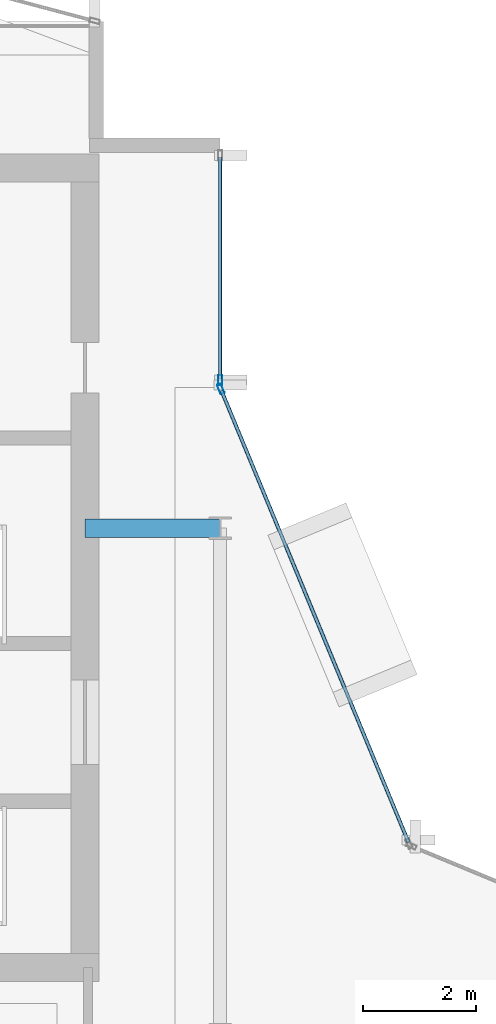
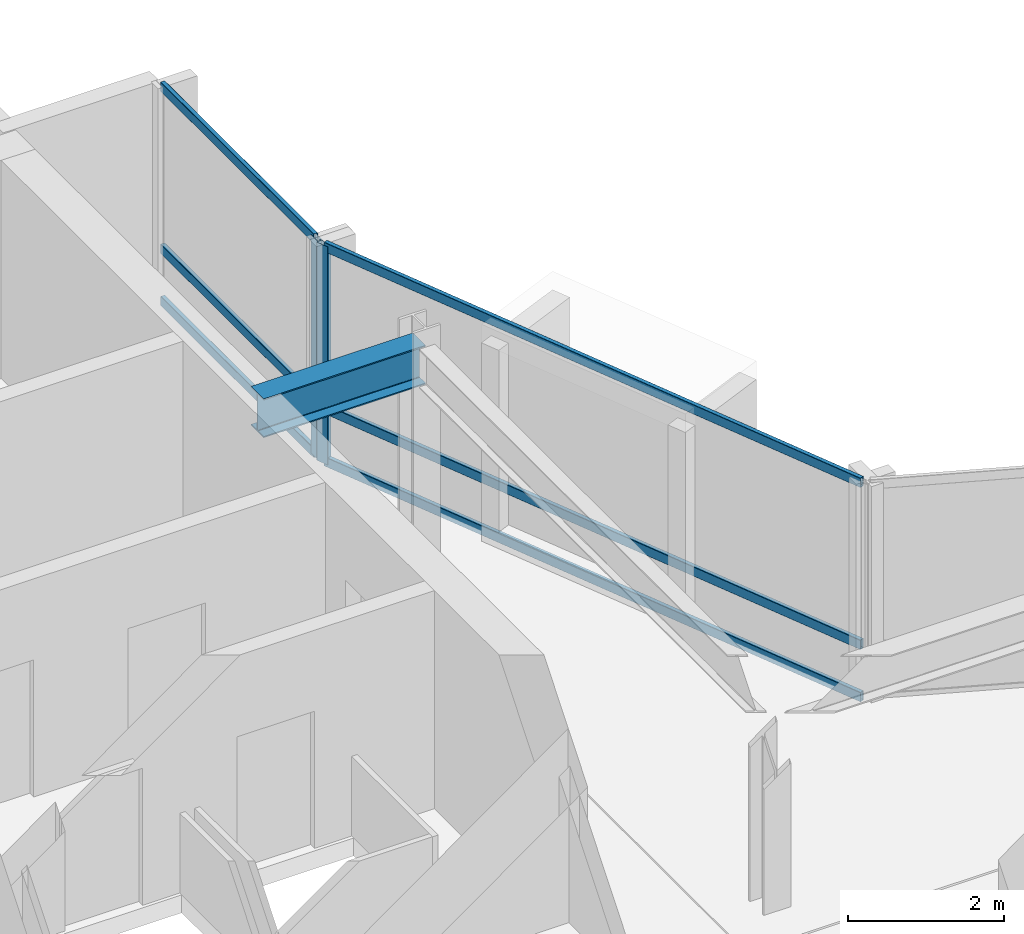
# One storey, part 17 of 28: 8 members, 1 beam, 2 elements without a shape of their own.
"""IFC4 building model written with IfcOpenShell, lengths in metres."""

from ifc_helpers import new_model, si_unit, direction, frame, origin, origin_2d, place, context, subcontext, project, spatial, hollow_rectangle, i_section, extrude, material, layer, layer_set, material_profile, profile_set, type_object, element, aggregate, save


model = new_model("IFC4")

# Units and contexts
model_context = context("Model", 3, precision=1e-05, world=origin(), true_north=direction((0.0, 1.0)))
body_context = subcontext(model_context, "Body", "Model", "MODEL_VIEW")
ifc_project = project(units=[si_unit("LENGTHUNIT", "METRE"), si_unit("AREAUNIT", "SQUARE_METRE"), si_unit("VOLUMEUNIT", "CUBIC_METRE"), si_unit("PLANEANGLEUNIT", "RADIAN"), si_unit("MASSUNIT", "GRAM", prefix="KILO")], contexts=[model_context])

# Site, building, storey
site_placement = place(None, origin())
site = spatial("IfcSite", under=ifc_project, at=site_placement, CompositionType="ELEMENT")
building_placement = place(site_placement, origin())
building = spatial("IfcBuilding", under=site, at=building_placement, Name="Solvaryn Broadcast Tower", CompositionType="ELEMENT")
storey_placement = place(building_placement, frame((0.0, 0.0, 213.60009765625)))
storey = spatial("IfcBuildingStorey", under=building, at=storey_placement, Name="L53", CompositionType="ELEMENT", Elevation=213.60009765625)

# Beam
ifc_material_1 = material(Name="Steel ASTM A992 Grade 50", Category="steel")
ifc_material_profile_1 = material_profile(ifc_material_1, i_section(OverallWidth=0.323974609375, OverallDepth=0.611083984375, WebThickness=0.0126953125, FlangeThickness=0.01904296875, FilletRadius=0.014892578125, at=origin_2d()))
ifc_profile_set_1 = profile_set([ifc_material_profile_1], Name="Steel ASTM A992 Grade 50")
beam_type = type_object("IfcBeamType", Name="BM-B1-W24X104", PredefinedType="BEAM", material=ifc_profile_set_1)
beam_placement = place(storey_placement, frame((24.60009765625, 36.0, 3.114501953125), z_axis=(1.0, 0.0, 0.0), x_axis=(0.0, 1.0, 0.0)))
element("IfcBeam", 1, at=beam_placement, inside=storey, type_object=beam_type, Name="L53 Core Tie Beam CTW2", PredefinedType="BEAM", context=body_context, shape_type="SweptSolid", body=[
    extrude(i_section(OverallWidth=0.323974609375, OverallDepth=0.611083984375, WebThickness=0.0126953125, FlangeThickness=0.01904296875, FilletRadius=0.014892578125, at=origin_2d()), origin(), (0.0, 0.0, 1.0), 2.39990234375),
])

# Curtain wall, member
ifc_material_2 = material(Name="Aluminium and Terracotta Unitised Curtain Wall", Category="masonry")
ifc_layer = layer(ifc_material_2, 0.199951171875)
ifc_layer_set = layer_set([ifc_layer], Name="CW-SYS2-LOWMID")
curtain_wall_type = type_object("IfcCurtainWallType", Name="CW-SYS2-LOWMID", PredefinedType="NOTDEFINED", material=ifc_layer_set)
curtain_wall_1_placement = place(storey_placement, origin())
curtain_wall_1 = element("IfcCurtainWall", 2, at=curtain_wall_1_placement, inside=storey, type_object=curtain_wall_type, Name="L53 Curtain Wall IV", PredefinedType="NOTDEFINED")
ifc_material_3 = material(Name="Anodised Aluminium 6063-T6", Category="aluminium")
ifc_material_profile_2 = material_profile(ifc_material_3, hollow_rectangle(XDim=0.074951171875, YDim=0.179931640625, WallThickness=0.00390625, InnerFilletRadius=0.00390625, OuterFilletRadius=0.008056640625, at=origin_2d()))
ifc_profile_set_2 = profile_set([ifc_material_profile_2], Name="Anodised Aluminium 6063-T6")
member_type_1 = type_object("IfcMemberType", Name="CW-MUL-180", PredefinedType="MULLION", material=ifc_profile_set_2)
member_1_placement = place(storey_placement, frame((27.0, 38.6298828125, 0.0), z_axis=(0.0, 0.0, 1.0), x_axis=(1.0, 0.0, 0.0)))
member_1 = element("IfcMember", 3, at=member_1_placement, type_object=member_type_1, Name="CWS2 mullion 2", PredefinedType="MULLION", context=body_context, shape_type="SweptSolid", body=[
    extrude(hollow_rectangle(XDim=0.074951171875, YDim=0.179931640625, WallThickness=0.00390625, InnerFilletRadius=0.00390625, OuterFilletRadius=0.008056640625, at=origin_2d()), origin(), (0.0, 0.0, 1.0), 3.419921875),
])

curtain_wall_2_placement = place(storey_placement, origin())
curtain_wall_2 = element("IfcCurtainWall", 4, at=curtain_wall_2_placement, inside=storey, type_object=curtain_wall_type, Name="L53 Curtain Wall CN2", PredefinedType="NOTDEFINED")
member_2_placement = place(storey_placement, frame((27.011474609375, 38.47216796875, 0.0), z_axis=(0.0, 0.0, 1.0), x_axis=(-0.923894983957, -0.382646127145, 0.0)))
member_2 = element("IfcMember", 5, at=member_2_placement, type_object=member_type_1, Name="CWS2 mullion 2", PredefinedType="MULLION", context=body_context, shape_type="SweptSolid", body=[
    extrude(hollow_rectangle(XDim=0.074951171875, YDim=0.179931640625, WallThickness=0.00390625, InnerFilletRadius=0.00390625, OuterFilletRadius=0.008056640625, at=origin_2d()), origin(), (0.0, 0.0, 1.0), 3.419921875),
])

# Member
ifc_material_4 = material(Name="Anodised Aluminium 6063-T6", Category="aluminium")
ifc_material_profile_3 = material_profile(ifc_material_4, hollow_rectangle(XDim=0.06494140625, YDim=0.14990234375, WallThickness=0.00390625, InnerFilletRadius=0.00390625, OuterFilletRadius=0.008056640625, at=origin_2d()))
ifc_profile_set_3 = profile_set([ifc_material_profile_3], Name="Anodised Aluminium 6063-T6")
member_type_2 = type_object("IfcMemberType", Name="CW-TRN-150", PredefinedType="USERDEFINED", material=ifc_profile_set_3)
member_3_placement = place(storey_placement, frame((27.0, 42.590087890625, 0.02978515625), z_axis=(0.0, -1.0, 0.0), x_axis=(1.0, 0.0, 0.0)))
member_3 = element("IfcMember", 6, at=member_3_placement, type_object=member_type_2, Name="CWS2 transom 1.1", ObjectType="TRANSOM", PredefinedType="USERDEFINED", context=body_context, shape_type="SweptSolid", body=[
    extrude(hollow_rectangle(XDim=0.06494140625, YDim=0.14990234375, WallThickness=0.00390625, InnerFilletRadius=0.00390625, OuterFilletRadius=0.008056640625, at=origin_2d()), origin(), (0.0, 0.0, 1.0), 3.93017578125),
])

member_4_placement = place(storey_placement, frame((27.0, 42.590087890625, 0.849853515625), z_axis=(0.0, -1.0, 0.0), x_axis=(1.0, 0.0, 0.0)))
member_4 = element("IfcMember", 7, at=member_4_placement, type_object=member_type_2, Name="CWS2 transom 1.2", ObjectType="TRANSOM", PredefinedType="USERDEFINED", context=body_context, shape_type="SweptSolid", body=[
    extrude(hollow_rectangle(XDim=0.06494140625, YDim=0.14990234375, WallThickness=0.00390625, InnerFilletRadius=0.00390625, OuterFilletRadius=0.008056640625, at=origin_2d()), origin(), (0.0, 0.0, 1.0), 3.93017578125),
])

member_5_placement = place(storey_placement, frame((27.0, 42.590087890625, 3.389892578125), z_axis=(0.0, -1.0, 0.0), x_axis=(1.0, 0.0, 0.0)))
member_5 = element("IfcMember", 8, at=member_5_placement, type_object=member_type_2, Name="CWS2 transom 1.3", ObjectType="TRANSOM", PredefinedType="USERDEFINED", context=body_context, shape_type="SweptSolid", body=[
    extrude(hollow_rectangle(XDim=0.06494140625, YDim=0.14990234375, WallThickness=0.00390625, InnerFilletRadius=0.00390625, OuterFilletRadius=0.008056640625, at=origin_2d()), origin(), (0.0, 0.0, 1.0), 3.93017578125),
])

aggregate(curtain_wall_1, [member_1, member_3, member_4, member_5])

member_6_placement = place(storey_placement, frame((30.344970703125, 30.42333984375, 0.02978515625), z_axis=(-0.382635748975, 0.923899282177, 0.0), x_axis=(-0.923899282177, -0.382635748975, 0.0)))
member_6 = element("IfcMember", 9, at=member_6_placement, type_object=member_type_2, Name="CWS2 transom 1.1", ObjectType="TRANSOM", PredefinedType="USERDEFINED", context=body_context, shape_type="SweptSolid", body=[
    extrude(hollow_rectangle(XDim=0.06494140625, YDim=0.14990234375, WallThickness=0.00390625, InnerFilletRadius=0.00390625, OuterFilletRadius=0.008056640625, at=origin_2d()), origin(), (0.0, 0.0, 1.0), 8.681884765625),
])

member_7_placement = place(storey_placement, frame((30.344970703125, 30.42333984375, 0.849853515625), z_axis=(-0.382635748975, 0.923899282177, 0.0), x_axis=(-0.923899282177, -0.382635748975, 0.0)))
member_7 = element("IfcMember", 10, at=member_7_placement, type_object=member_type_2, Name="CWS2 transom 1.2", ObjectType="TRANSOM", PredefinedType="USERDEFINED", context=body_context, shape_type="SweptSolid", body=[
    extrude(hollow_rectangle(XDim=0.06494140625, YDim=0.14990234375, WallThickness=0.00390625, InnerFilletRadius=0.00390625, OuterFilletRadius=0.008056640625, at=origin_2d()), origin(), (0.0, 0.0, 1.0), 8.681884765625),
])

member_8_placement = place(storey_placement, frame((30.344970703125, 30.42333984375, 3.389892578125), z_axis=(-0.382635748975, 0.923899282177, 0.0), x_axis=(-0.923899282177, -0.382635748975, 0.0)))
member_8 = element("IfcMember", 11, at=member_8_placement, type_object=member_type_2, Name="CWS2 transom 1.3", ObjectType="TRANSOM", PredefinedType="USERDEFINED", context=body_context, shape_type="SweptSolid", body=[
    extrude(hollow_rectangle(XDim=0.06494140625, YDim=0.14990234375, WallThickness=0.00390625, InnerFilletRadius=0.00390625, OuterFilletRadius=0.008056640625, at=origin_2d()), origin(), (0.0, 0.0, 1.0), 8.681884765625),
])

aggregate(curtain_wall_2, [member_2, member_6, member_7, member_8])

save(model, "model.ifc")
